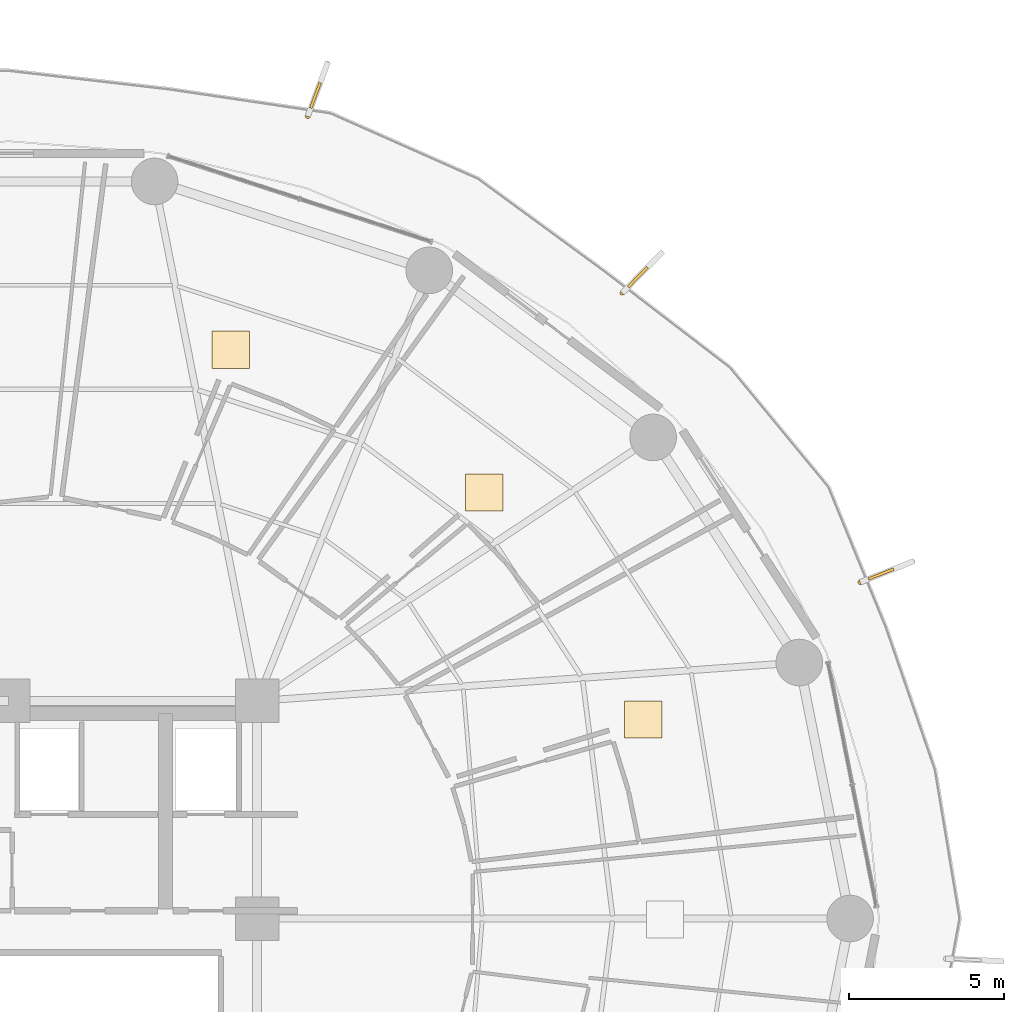
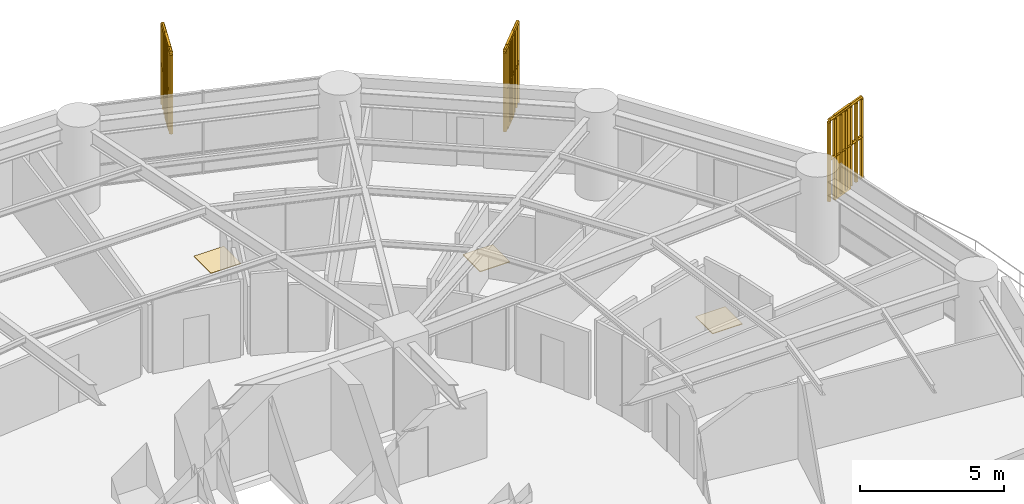
# One storey, part 33 of 33: 3 coverings, 3 railings, 3 shading devices.
"""IFC4 building model written with IfcOpenShell, lengths in metres."""

from ifc_helpers import new_model, si_unit, direction, frame, origin, origin_2d, place, context, subcontext, project, spatial, polyline, rectangle, outline, extrude, source, transform, mapped, material, layer, layer_set, type_object, element, save


model = new_model("IFC4")

# Units and contexts
model_context = context("Model", 3, precision=1e-05, world=origin(), true_north=direction((0.0, 1.0)))
body_context = subcontext(model_context, "Body", "Model", "MODEL_VIEW")
ifc_project = project(units=[si_unit("LENGTHUNIT", "METRE"), si_unit("AREAUNIT", "SQUARE_METRE"), si_unit("VOLUMEUNIT", "CUBIC_METRE"), si_unit("PLANEANGLEUNIT", "RADIAN"), si_unit("MASSUNIT", "GRAM", prefix="KILO")], contexts=[model_context])

# Site, building, storey
site_placement = place(None, origin())
site = spatial("IfcSite", under=ifc_project, at=site_placement, CompositionType="ELEMENT")
building_placement = place(site_placement, origin())
building = spatial("IfcBuilding", under=site, at=building_placement, Name="Kelanora Arch Commons", CompositionType="ELEMENT")
storey_placement = place(building_placement, frame((0.0, 0.0, 45.0)))
storey = spatial("IfcBuildingStorey", under=building, at=storey_placement, Name="L11", CompositionType="ELEMENT", Elevation=45.0)

# Railings
ifc_material_1 = material(Name="Anodised bronze vertical shading fin rib assembly")
railing_type = type_object("IfcRailingType", Name="RAIL-FIN-BRZ", PredefinedType="BALUSTRADE", material=ifc_material_1)
railing_1_placement = place(storey_placement, frame((101.406005859375, 68.81884765625, -0.02001953125)))
element("IfcRailing", 1, at=railing_1_placement, inside=storey, type_object=railing_type, Name="Sweeping Bronze Vertical Fin Blade L11-00", PredefinedType="BALUSTRADE", context=body_context, shape_type="SweptSolid", body=[
    extrude(outline(polyline([(0.06982421875, 0.0), (0.034912109375, 0.060546875), (-0.034912109375, 0.060546875), (-0.06982421875, 0.0), (-0.034912109375, -0.060546875), (0.034912109375, -0.060546875), (0.06982421875, 0.0)])), frame((0.0, 0.0, 3.419921875), z_axis=(0.930183178316, 0.367095702479, 0.0), x_axis=(-0.367095702479, 0.930183178316, 0.0)), (0.0, 0.0, 1.0), 1.804931640625),
    extrude(outline(polyline([(0.06982421875, 0.0), (0.034912109375, 0.060546875), (-0.034912109375, 0.060546875), (-0.06982421875, 0.0), (-0.034912109375, -0.060546875), (0.034912109375, -0.060546875), (0.06982421875, 0.0)])), frame((0.0, 0.0, 1.7451171875), z_axis=(0.930183178316, 0.367095702479, 0.0), x_axis=(-0.367095702479, 0.930183178316, 0.0)), (0.0, 0.0, 1.0), 1.804931640625),
    extrude(outline(polyline([(0.080078125, 0.0), (0.0400390625, 0.0693359375), (-0.0400390625, 0.0693359375), (-0.080078125, 0.0), (-0.0400390625, -0.0693359375), (0.0400390625, -0.0693359375), (0.080078125, 0.0)])), origin(), (0.0, 0.0, 1.0), 3.35009765625),
    extrude(outline(polyline([(0.080078125, 0.0), (0.0400390625, 0.0693359375), (-0.0400390625, 0.0693359375), (-0.080078125, 0.0), (-0.0400390625, -0.0693359375), (0.0400390625, -0.0693359375), (0.080078125, 0.0)])), frame((0.27978515625, 0.1103515625, 0.0)), (0.0, 0.0, 1.0), 3.35009765625),
    extrude(outline(polyline([(0.080078125, 0.0), (0.0400390625, 0.0693359375), (-0.0400390625, 0.0693359375), (-0.080078125, 0.0), (-0.0400390625, -0.0693359375), (0.0400390625, -0.0693359375), (0.080078125, 0.0)])), frame((0.5595703125, 0.220947265625, 0.0)), (0.0, 0.0, 1.0), 3.35009765625),
    extrude(outline(polyline([(0.080078125, 0.0), (0.0400390625, 0.0693359375), (-0.0400390625, 0.0693359375), (-0.080078125, 0.0), (-0.0400390625, -0.0693359375), (0.0400390625, -0.0693359375), (0.080078125, 0.0)])), frame((0.83935546875, 0.331298828125, 0.0)), (0.0, 0.0, 1.0), 3.35009765625),
    extrude(outline(polyline([(0.080078125, 0.0), (0.0400390625, 0.0693359375), (-0.0400390625, 0.0693359375), (-0.080078125, 0.0), (-0.0400390625, -0.0693359375), (0.0400390625, -0.0693359375), (0.080078125, 0.0)])), frame((1.119384765625, 0.441650390625, 0.0)), (0.0, 0.0, 1.0), 3.35009765625),
    extrude(outline(polyline([(0.080078125, 0.0), (0.0400390625, 0.0693359375), (-0.0400390625, 0.0693359375), (-0.080078125, 0.0), (-0.0400390625, -0.0693359375), (0.0400390625, -0.0693359375), (0.080078125, 0.0)])), frame((1.399169921875, 0.55224609375, 0.0)), (0.0, 0.0, 1.0), 3.35009765625),
    extrude(outline(polyline([(0.080078125, 0.0), (0.0400390625, 0.0693359375), (-0.0400390625, 0.0693359375), (-0.080078125, 0.0), (-0.0400390625, -0.0693359375), (0.0400390625, -0.0693359375), (0.080078125, 0.0)])), frame((1.678955078125, 0.66259765625, 0.0)), (0.0, 0.0, 1.0), 3.35009765625),
])
railing_2_placement = place(storey_placement, frame((93.7470703125, 78.124267578125, -0.02001953125)))
element("IfcRailing", 2, at=railing_2_placement, inside=storey, type_object=railing_type, Name="Sweeping Bronze Vertical Fin Blade L11-01", PredefinedType="BALUSTRADE", context=body_context, shape_type="SweptSolid", body=[
    extrude(outline(polyline([(0.06982421875, 0.0), (0.034912109375, 0.060546875), (-0.034912109375, 0.060546875), (-0.06982421875, 0.0), (-0.034912109375, -0.060546875), (0.034912109375, -0.060546875), (0.06982421875, 0.0)])), frame((0.0, 0.0, 3.419921875), z_axis=(0.700379679502, 0.713770484498, 0.0), x_axis=(-0.713770484498, 0.700379679502, 0.0)), (0.0, 0.0, 1.0), 1.804931640625),
    extrude(outline(polyline([(0.06982421875, 0.0), (0.034912109375, 0.060546875), (-0.034912109375, 0.060546875), (-0.06982421875, 0.0), (-0.034912109375, -0.060546875), (0.034912109375, -0.060546875), (0.06982421875, 0.0)])), frame((0.0, 0.0, 1.7451171875), z_axis=(0.700379679502, 0.713770484498, 0.0), x_axis=(-0.713770484498, 0.700379679502, 0.0)), (0.0, 0.0, 1.0), 1.804931640625),
    extrude(outline(polyline([(0.080078125, 0.0), (0.0400390625, 0.0693359375), (-0.0400390625, 0.0693359375), (-0.080078125, 0.0), (-0.0400390625, -0.0693359375), (0.0400390625, -0.0693359375), (0.080078125, 0.0)])), origin(), (0.0, 0.0, 1.0), 3.35009765625),
    extrude(outline(polyline([(0.080078125, 0.0), (0.0400390625, 0.0693359375), (-0.0400390625, 0.0693359375), (-0.080078125, 0.0), (-0.0400390625, -0.0693359375), (0.0400390625, -0.0693359375), (0.080078125, 0.0)])), frame((0.210693359375, 0.21484375, 0.0)), (0.0, 0.0, 1.0), 3.35009765625),
    extrude(outline(polyline([(0.080078125, 0.0), (0.0400390625, 0.0693359375), (-0.0400390625, 0.0693359375), (-0.080078125, 0.0), (-0.0400390625, -0.0693359375), (0.0400390625, -0.0693359375), (0.080078125, 0.0)])), frame((0.42138671875, 0.429443359375, 0.0)), (0.0, 0.0, 1.0), 3.35009765625),
    extrude(outline(polyline([(0.080078125, 0.0), (0.0400390625, 0.0693359375), (-0.0400390625, 0.0693359375), (-0.080078125, 0.0), (-0.0400390625, -0.0693359375), (0.0400390625, -0.0693359375), (0.080078125, 0.0)])), frame((0.632080078125, 0.64404296875, 0.0)), (0.0, 0.0, 1.0), 3.35009765625),
    extrude(outline(polyline([(0.080078125, 0.0), (0.0400390625, 0.0693359375), (-0.0400390625, 0.0693359375), (-0.080078125, 0.0), (-0.0400390625, -0.0693359375), (0.0400390625, -0.0693359375), (0.080078125, 0.0)])), frame((0.8427734375, 0.85888671875, 0.0)), (0.0, 0.0, 1.0), 3.35009765625),
    extrude(outline(polyline([(0.080078125, 0.0), (0.0400390625, 0.0693359375), (-0.0400390625, 0.0693359375), (-0.080078125, 0.0), (-0.0400390625, -0.0693359375), (0.0400390625, -0.0693359375), (0.080078125, 0.0)])), frame((1.053466796875, 1.07373046875, 0.0)), (0.0, 0.0, 1.0), 3.35009765625),
    extrude(outline(polyline([(0.080078125, 0.0), (0.0400390625, 0.0693359375), (-0.0400390625, 0.0693359375), (-0.080078125, 0.0), (-0.0400390625, -0.0693359375), (0.0400390625, -0.0693359375), (0.080078125, 0.0)])), frame((1.26416015625, 1.288330078125, 0.0)), (0.0, 0.0, 1.0), 3.35009765625),
])
railing_3_placement = place(storey_placement, frame((83.62841796875, 83.8095703125, -0.02001953125)))
element("IfcRailing", 3, at=railing_3_placement, inside=storey, type_object=railing_type, Name="Sweeping Bronze Vertical Fin Blade L11-02", PredefinedType="BALUSTRADE", context=body_context, shape_type="SweptSolid", body=[
    extrude(outline(polyline([(0.06982421875, 0.0), (0.034912109375, 0.060546875), (-0.034912109375, 0.060546875), (-0.06982421875, 0.0), (-0.034912109375, -0.060546875), (0.034912109375, -0.060546875), (0.06982421875, 0.0)])), frame((0.0, 0.0, 3.419921875), z_axis=(0.349388487529, 0.9369779532, 0.0), x_axis=(-0.9369779532, 0.349388487529, 0.0)), (0.0, 0.0, 1.0), 1.804931640625),
    extrude(outline(polyline([(0.06982421875, 0.0), (0.034912109375, 0.060546875), (-0.034912109375, 0.060546875), (-0.06982421875, 0.0), (-0.034912109375, -0.060546875), (0.034912109375, -0.060546875), (0.06982421875, 0.0)])), frame((0.0, 0.0, 1.7451171875), z_axis=(0.349388487529, 0.9369779532, 0.0), x_axis=(-0.9369779532, 0.349388487529, 0.0)), (0.0, 0.0, 1.0), 1.804931640625),
    extrude(outline(polyline([(0.080078125, 0.0), (0.0400390625, 0.0693359375), (-0.0400390625, 0.0693359375), (-0.080078125, 0.0), (-0.0400390625, -0.0693359375), (0.0400390625, -0.0693359375), (0.080078125, 0.0)])), origin(), (0.0, 0.0, 1.0), 3.35009765625),
    extrude(outline(polyline([(0.080078125, 0.0), (0.0400390625, 0.0693359375), (-0.0400390625, 0.0693359375), (-0.080078125, 0.0), (-0.0400390625, -0.0693359375), (0.0400390625, -0.0693359375), (0.080078125, 0.0)])), frame((0.10498046875, 0.28173828125, 0.0)), (0.0, 0.0, 1.0), 3.35009765625),
    extrude(outline(polyline([(0.080078125, 0.0), (0.0400390625, 0.0693359375), (-0.0400390625, 0.0693359375), (-0.080078125, 0.0), (-0.0400390625, -0.0693359375), (0.0400390625, -0.0693359375), (0.080078125, 0.0)])), frame((0.210205078125, 0.563720703125, 0.0)), (0.0, 0.0, 1.0), 3.35009765625),
    extrude(outline(polyline([(0.080078125, 0.0), (0.0400390625, 0.0693359375), (-0.0400390625, 0.0693359375), (-0.080078125, 0.0), (-0.0400390625, -0.0693359375), (0.0400390625, -0.0693359375), (0.080078125, 0.0)])), frame((0.3154296875, 0.845703125, 0.0)), (0.0, 0.0, 1.0), 3.35009765625),
    extrude(outline(polyline([(0.080078125, 0.0), (0.0400390625, 0.0693359375), (-0.0400390625, 0.0693359375), (-0.080078125, 0.0), (-0.0400390625, -0.0693359375), (0.0400390625, -0.0693359375), (0.080078125, 0.0)])), frame((0.42041015625, 1.12744140625, 0.0)), (0.0, 0.0, 1.0), 3.35009765625),
    extrude(outline(polyline([(0.080078125, 0.0), (0.0400390625, 0.0693359375), (-0.0400390625, 0.0693359375), (-0.080078125, 0.0), (-0.0400390625, -0.0693359375), (0.0400390625, -0.0693359375), (0.080078125, 0.0)])), frame((0.525390625, 1.4091796875, 0.0)), (0.0, 0.0, 1.0), 3.35009765625),
    extrude(outline(polyline([(0.080078125, 0.0), (0.0400390625, 0.0693359375), (-0.0400390625, 0.0693359375), (-0.080078125, 0.0), (-0.0400390625, -0.0693359375), (0.0400390625, -0.0693359375), (0.080078125, 0.0)])), frame((0.630615234375, 1.691162109375, 0.0)), (0.0, 0.0, 1.0), 3.35009765625),
])

# Shading devices
ifc_material_2 = material(Name="Terracotta ceramic-clad extruded aluminium fin", Category="masonry")
shading_device_type = type_object("IfcShadingDeviceType", Name="SHD-FIN-FLARE", PredefinedType="USERDEFINED", material=ifc_material_2)
shared_shape_1 = source(origin(), body_context, "Body", "SweptSolid", [
    extrude(rectangle(XDim=0.8798828125, YDim=0.090087890625, at=origin_2d()), origin(), (0.0, 0.0, 1.0), 3.610107421875),
])
for number, where, z_axis, x_axis, name in (
    (4, (102.07568359375, 69.0830078125, -0.14013671875), (0.0, 0.0, 1.0), (0.930161475141, 0.367150691357, 0.0), "Sweeping Terracotta Fin L11-00"),
    (5, (94.25146484375, 78.63818359375, -0.14013671875), (0.0, 0.0, 1.0), (0.700411150784, 0.713739602276, 0.0), "Sweeping Terracotta Fin L11-01"),
    (6, (83.8798828125, 84.484130859375, -0.14013671875), (0.0, 0.0, 1.0), (0.349553375421, 0.936916451842, 0.0), "Sweeping Terracotta Fin L11-02"),
):
    element("IfcShadingDevice", number, at=place(storey_placement, frame(where, z_axis=z_axis, x_axis=x_axis)), inside=storey, type_object=shading_device_type, Name=name, ObjectType="FIN", PredefinedType="USERDEFINED", context=body_context, shape_type="MappedRepresentation", body=[
        mapped(shared_shape_1, transform((0.0, 0.0, 0.0), scale=1.0)),
    ])

# Coverings
ifc_material_3 = material(Name="Polished local granite terrazzo flooring", Category="masonry")
ifc_layer = layer(ifc_material_3, 0.030029296875)
ifc_layer_set = layer_set([ifc_layer], Name="Polished local granite terrazzo flooring")
covering_type = type_object("IfcCoveringType", Name="COV-FLR-TER", PredefinedType="FLOORING", material=ifc_layer_set)
shared_shape_2 = source(origin(), body_context, "Body", "SweptSolid", [
    extrude(rectangle(XDim=1.199951171875, YDim=1.199951171875, at=origin_2d()), origin(), (0.0, 0.0, 1.0), 0.030029296875),
])
for number, where, z_axis, x_axis, name in (
    (7, (94.42822265625, 64.403564453125, 0.0), (0.0, 0.0, 1.0), (1.0, 0.0, 0.0), "Co-Living Studio L11-01 Terrazzo Finish"),
    (8, (89.30517578125, 71.70849609375, 0.0), (0.0, 0.0, 1.0), (1.0, 0.0, 0.0), "Co-Living Studio L11-02 Terrazzo Finish"),
    (9, (81.150390625, 76.2978515625, 0.0), (0.0, 0.0, 1.0), (1.0, 0.0, 0.0), "Co-Living Studio L11-03 Terrazzo Finish"),
):
    element("IfcCovering", number, at=place(storey_placement, frame(where, z_axis=z_axis, x_axis=x_axis)), inside=storey, type_object=covering_type, Name=name, PredefinedType="FLOORING", context=body_context, shape_type="MappedRepresentation", body=[
        mapped(shared_shape_2, transform((0.0, 0.0, 0.0), scale=1.0)),
    ])

save(model, "model.ifc")
